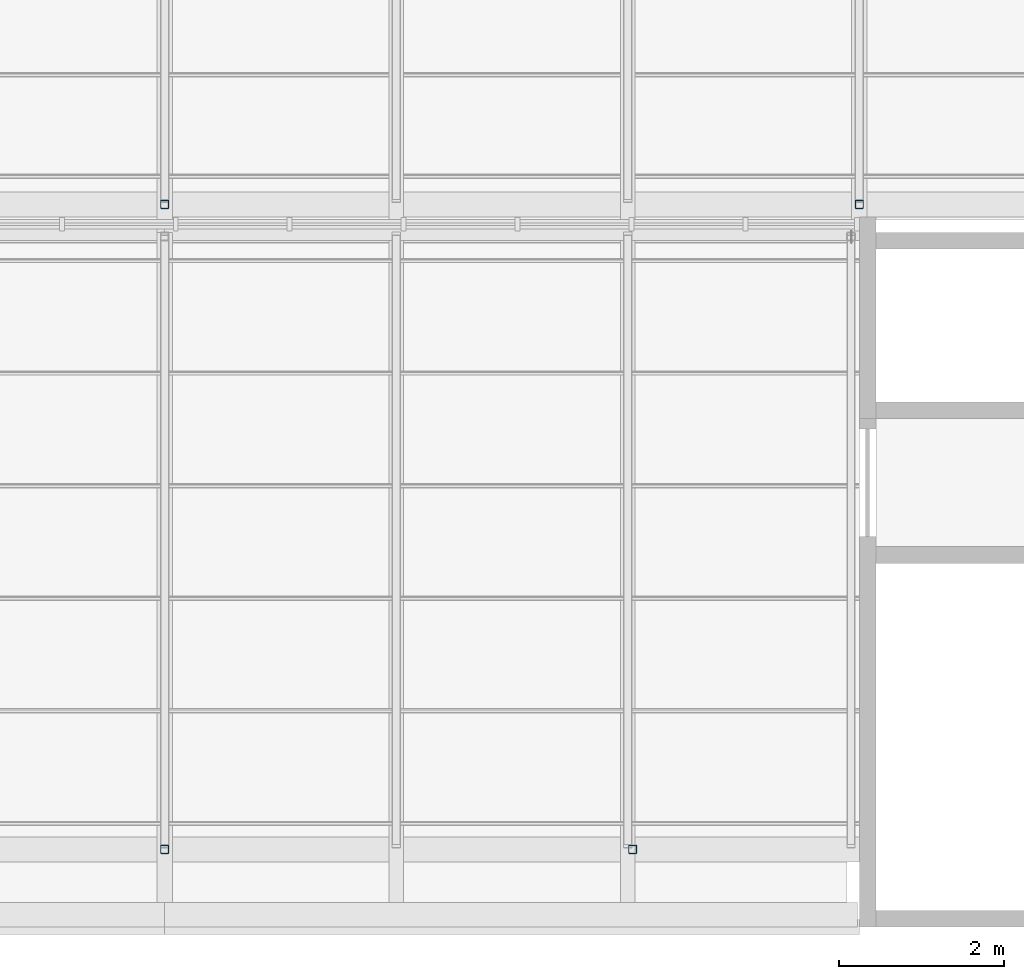
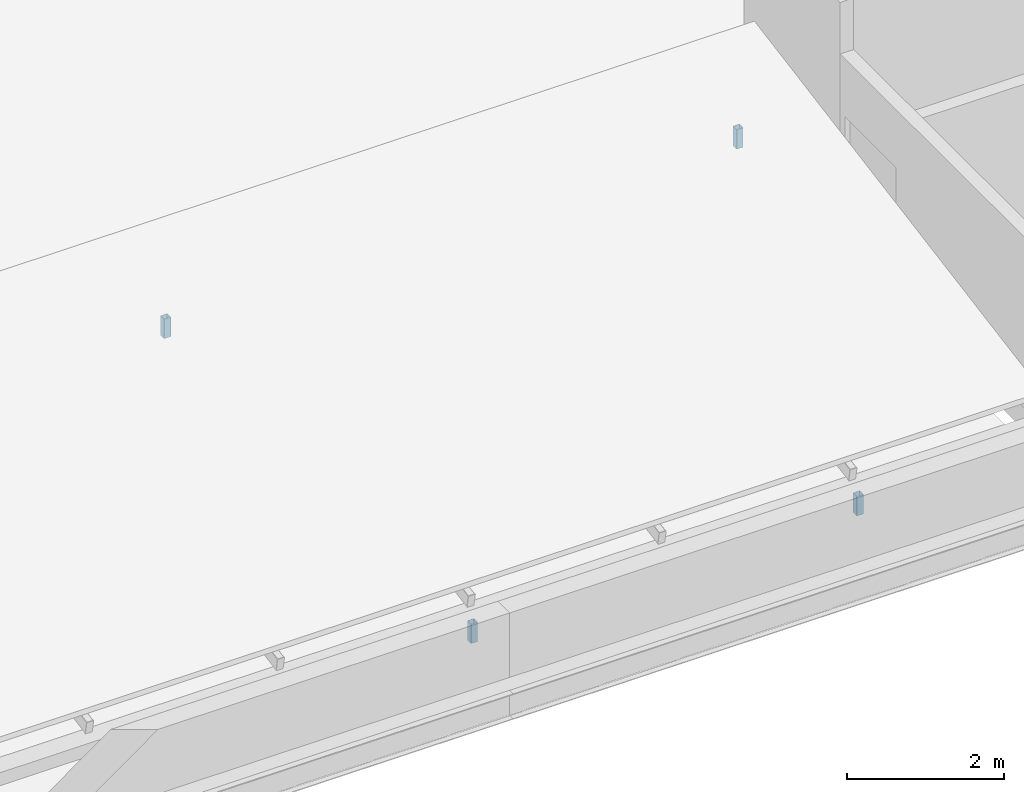
# One storey, part 18 of 33: 4 members.
"""IFC4 building model written with IfcOpenShell, lengths in metres."""

from ifc_helpers import new_model, si_unit, direction, frame, origin, origin_2d, place, context, subcontext, project, spatial, hollow_rectangle, extrude, material, material_profile, profile_set, type_object, element, save


model = new_model("IFC4")

# Units and contexts
model_context = context("Model", 3, precision=1e-05, world=origin(), true_north=direction((0.0, 1.0)))
body_context = subcontext(model_context, "Body", "Model", "MODEL_VIEW")
ifc_project = project(units=[si_unit("LENGTHUNIT", "METRE"), si_unit("AREAUNIT", "SQUARE_METRE"), si_unit("VOLUMEUNIT", "CUBIC_METRE"), si_unit("PLANEANGLEUNIT", "RADIAN"), si_unit("MASSUNIT", "GRAM", prefix="KILO")], contexts=[model_context])

# Site, building, storey
site_placement = place(None, origin())
site = spatial("IfcSite", under=ifc_project, at=site_placement, CompositionType="ELEMENT")
building_placement = place(site_placement, origin())
building = spatial("IfcBuilding", under=site, at=building_placement, Name="Ardhachandra Cancer Care Centre", CompositionType="ELEMENT")
storey_placement = place(building_placement, frame((0.0, 0.0, 27.0)))
storey = spatial("IfcBuildingStorey", under=building, at=storey_placement, Name="Roof", CompositionType="ELEMENT", Elevation=27.0)

# Members
ifc_material = material(Name="Steel E350 (IS 2062)", Category="steel")
ifc_material_profile = material_profile(ifc_material, hollow_rectangle(XDim=0.10009765625, YDim=0.10009765625, WallThickness=0.0048828125, InnerFilletRadius=0.0048828125, OuterFilletRadius=0.010009765625, at=origin_2d()), Name="SHS 100x100x5.0")
ifc_profile_set = profile_set([ifc_material_profile], Name="Steel E350 (IS 2062)")
member_type = type_object("IfcMemberType", Name="Sawtooth ridge post SHS 100x100x5.0", PredefinedType="POST", material=ifc_profile_set)
for number, where, z_axis, x_axis, name in (
    (1, (128.39990234375, 80.739990234375, 0.0), (0.0, 0.0, 1.0), (1.0, 0.0, 0.0), "Gutter cradle ST1a.3"),
    (2, (134.06005859375, 80.739990234375, 0.0), (0.0, 0.0, 1.0), (1.0, 0.0, 0.0), "Gutter cradle ST1a.4"),
    (3, (128.39990234375, 88.5400390625, 0.0), (0.0, 0.0, 1.0), (1.0, 0.0, 0.0), "Gutter cradle ST2a.3"),
    (4, (136.800048828125, 88.5400390625, 0.0), (0.0, 0.0, 1.0), (1.0, 0.0, 0.0), "Gutter cradle ST2a.4"),
):
    element("IfcMember", number, at=place(storey_placement, frame(where, z_axis=z_axis, x_axis=x_axis)), inside=storey, type_object=member_type, Name=name, PredefinedType="POST", context=body_context, shape_type="SweptSolid", body=[
        extrude(hollow_rectangle(XDim=0.10009765625, YDim=0.10009765625, WallThickness=0.0048828125, InnerFilletRadius=0.0048828125, OuterFilletRadius=0.010009765625, at=origin_2d()), origin(), (0.0, 0.0, 1.0), 0.300048828125),
    ])

save(model, "model.ifc")
